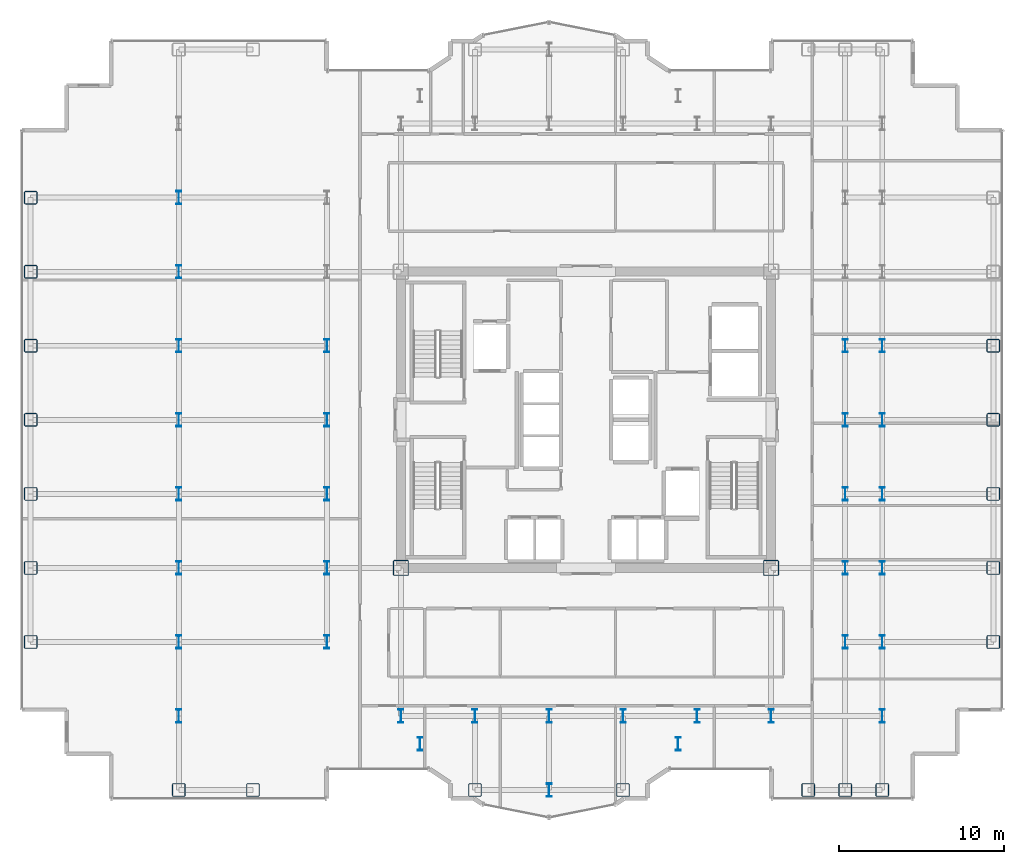
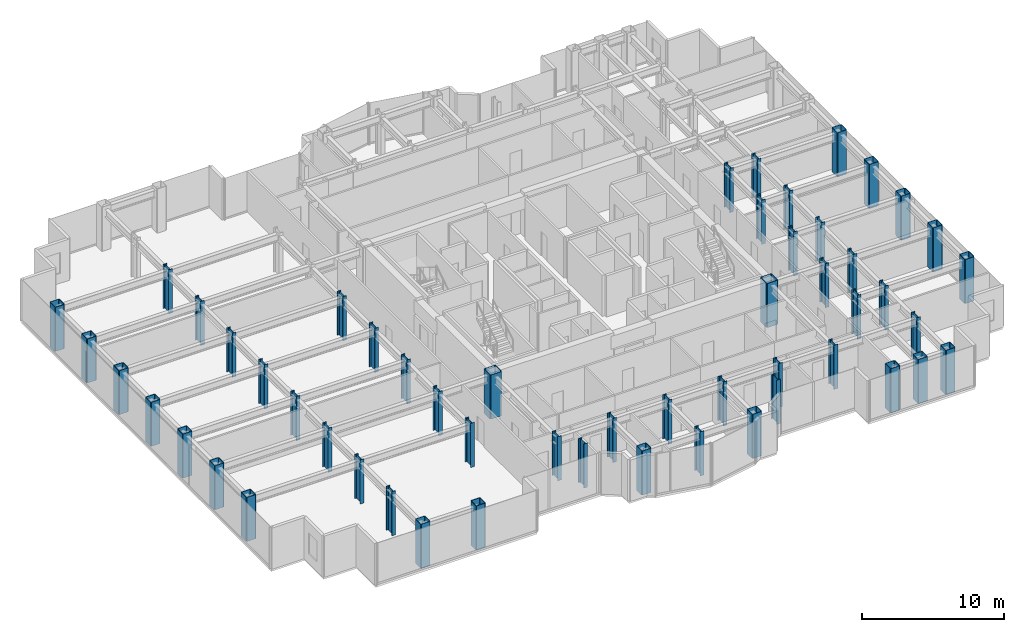
# One storey, part 1 of 23: 54 columns.
"""IFC4 building model written with IfcOpenShell, lengths in metres."""

import ifcopenshell
import ifcopenshell.guid

model = None  # the IFC model being written
_history = None  # IfcOwnerHistory: only IFC2X3 demands one
_inside = {}  # id of a spatial element -> (the spatial element, [elements in it])
_under = {}  # id of a project, library or spatial element -> (it, [spatial elements below it])
_declared = {}  # id of a project -> (the project, [libraries it declares])
_typed = {}  # id of a type object -> (the type object, [elements of that type])
_made_of = {}  # id of a material, layer set ... -> (it, [elements and type objects made of it])


def new_model(schema):
    """Start an empty IFC model of exactly this schema.

    Asked for "IFC4X3", IfcOpenShell would pick the latest addendum, in which some entities
    have other attributes; the version numbers below select the first issue.
    IFC2X3 requires an IfcOwnerHistory on every rooted entity: one is made here for all.
    """
    global model, _history
    if schema == "IFC4X3":
        model = ifcopenshell.file(schema_version=(4, 3, 0, 0))
    else:
        model = ifcopenshell.file(schema=schema)
    _inside.clear()
    _under.clear()
    _declared.clear()
    _typed.clear()
    _made_of.clear()
    _history = None
    if model.schema == "IFC2X3":
        org = make("IfcOrganization", Name="unknown")
        user = make(
            "IfcPersonAndOrganization",
            ThePerson=make("IfcPerson", FamilyName="unknown"),
            TheOrganization=org,
        )
        app = make(
            "IfcApplication",
            ApplicationDeveloper=org,
            Version="unknown",
            ApplicationFullName="unknown",
            ApplicationIdentifier="unknown",
        )
        _history = make(
            "IfcOwnerHistory",
            OwningUser=user,
            OwningApplication=app,
            ChangeAction="ADDED",
            CreationDate=0,
        )
    return model


def make(cls, **values):
    """One entity of the class cls with the attributes given. An attribute that is None is left unset."""
    return model.create_entity(
        cls, **{name: value for name, value in values.items() if value is not None}
    )


def rooted(cls, **values):
    """An entity with a GlobalId (a new one), such as an element, a storey or a relation."""
    return make(cls, GlobalId=ifcopenshell.guid.new(), OwnerHistory=_history, **values)


def si_unit(unit_type, name, prefix=None):
    """IfcSIUnit, for example si_unit("LENGTHUNIT", "METRE", prefix="MILLI")."""
    return make("IfcSIUnit", UnitType=unit_type, Prefix=prefix, Name=name)


def assignment(units):
    """IfcUnitAssignment: the units of a project."""
    return None if units is None else make("IfcUnitAssignment", Units=units)


def point(xyz):
    """IfcCartesianPoint."""
    return None if xyz is None else make("IfcCartesianPoint", Coordinates=xyz)


def direction(xyz):
    """IfcDirection."""
    return None if xyz is None else make("IfcDirection", DirectionRatios=xyz)


def frame(location, z_axis=None, x_axis=None):
    """IfcAxis2Placement3D, a coordinate frame: its origin and axes. An axis left out is left unset."""
    return make(
        "IfcAxis2Placement3D",
        Location=point(location),
        Axis=direction(z_axis),
        RefDirection=direction(x_axis),
    )


def frame_2d(location, x_axis=None):
    """IfcAxis2Placement2D, a coordinate frame in the plane: its origin and x axis."""
    return make(
        "IfcAxis2Placement2D", Location=point(location), RefDirection=direction(x_axis)
    )


def origin():
    """The frame at (0, 0, 0) with its axes left unset."""
    return frame((0.0, 0.0, 0.0))


def origin_2d():
    """The frame at (0, 0) in the plane with its x axis left unset."""
    return frame_2d((0.0, 0.0))


def place(relative_to, where):
    """IfcLocalPlacement: puts the frame where relative to a parent placement (None: the world)."""
    return make(
        "IfcLocalPlacement", PlacementRelTo=relative_to, RelativePlacement=where
    )


def context(
    kind, dimensions, precision=None, world=None, true_north=None, identifier=None
):
    """IfcGeometricRepresentationContext, for example the 3D "Model" context."""
    return make(
        "IfcGeometricRepresentationContext",
        ContextIdentifier=identifier,
        ContextType=kind,
        CoordinateSpaceDimension=dimensions,
        Precision=precision,
        WorldCoordinateSystem=world,
        TrueNorth=true_north,
    )


def subcontext(parent, identifier, kind, view, scale=None):
    """IfcGeometricRepresentationSubContext, for example "Body" below "Model"."""
    return make(
        "IfcGeometricRepresentationSubContext",
        ContextIdentifier=identifier,
        ContextType=kind,
        ParentContext=parent,
        TargetScale=scale,
        TargetView=view,
    )


def project(units=None, contexts=None):
    """IfcProject with its units and contexts."""
    return rooted(
        "IfcProject",
        Name="project",
        RepresentationContexts=contexts,
        UnitsInContext=assignment(units),
    )


def spatial(cls, under=None, at=None, **own):
    """A site, building, storey or space (cls), placed at a placement, below another one or the project."""
    s = rooted(cls, ObjectPlacement=at, **own)
    if under is not None:
        _under.setdefault(under.id(), (under, []))[1].append(s)
    return s


def profile(cls, at=None, kind="AREA", **sizes):
    """A parametric profile (cls). Its sizes go by their IFC names, for example OverallWidth=200.0."""
    return make(cls, ProfileType=kind, Position=at, **sizes)


def hollow_rectangle(**sizes):
    """IfcRectangleHollowProfileDef."""
    return profile("IfcRectangleHollowProfileDef", **sizes)


def i_section(**sizes):
    """IfcIShapeProfileDef."""
    return profile("IfcIShapeProfileDef", **sizes)


def extrude(swept, where, along, depth):
    """IfcExtrudedAreaSolid: the profile swept, set in the frame where, extruded along a direction by depth."""
    return make(
        "IfcExtrudedAreaSolid",
        SweptArea=swept,
        Position=where,
        ExtrudedDirection=direction(along),
        Depth=depth,
    )


def shape(context_of_items, identifier, shape_type, items):
    """IfcShapeRepresentation: the items that make up one representation, for example the "Body"."""
    return make(
        "IfcShapeRepresentation",
        ContextOfItems=context_of_items,
        RepresentationIdentifier=identifier,
        RepresentationType=shape_type,
        Items=items,
    )


def source(mapping_origin, context_of_items, identifier, shape_type, items):
    """IfcRepresentationMap: a shape defined once, which mapped items show again and again."""
    return make(
        "IfcRepresentationMap",
        MappingOrigin=mapping_origin,
        MappedRepresentation=shape(context_of_items, identifier, shape_type, items),
    )


def transform(
    local_origin,
    x_axis=None,
    y_axis=None,
    z_axis=None,
    scale=None,
    scale2=None,
    scale3=None,
    uniform=True,
):
    """IfcCartesianTransformationOperator3D, or its non-uniform kind. x_axis, y_axis, z_axis: its Axis1, 2, 3."""
    if uniform:
        return make(
            "IfcCartesianTransformationOperator3D",
            Axis1=direction(x_axis),
            Axis2=direction(y_axis),
            LocalOrigin=point(local_origin),
            Scale=scale,
            Axis3=direction(z_axis),
        )
    return make(
        "IfcCartesianTransformationOperator3DnonUniform",
        Axis1=direction(x_axis),
        Axis2=direction(y_axis),
        LocalOrigin=point(local_origin),
        Scale=scale,
        Axis3=direction(z_axis),
        Scale2=scale2,
        Scale3=scale3,
    )


def mapped(mapping_source, mapping_target):
    """IfcMappedItem: shows the shape of a source again, moved by a transform."""
    return make(
        "IfcMappedItem", MappingSource=mapping_source, MappingTarget=mapping_target
    )


def material(Name=None, Category=None):
    """IfcMaterial."""
    return make("IfcMaterial", Name=Name, Category=Category)


def material_profile(
    of_material, cross_section, Name=None, Category=None, Priority=None
):
    """IfcMaterialProfile: a cross section and its material."""
    return make(
        "IfcMaterialProfile",
        Name=Name,
        Material=of_material,
        Profile=cross_section,
        Priority=Priority,
        Category=Category,
    )


def profile_set(profiles, Name=None, composite=None):
    """IfcMaterialProfileSet."""
    return make(
        "IfcMaterialProfileSet",
        Name=Name,
        MaterialProfiles=profiles,
        CompositeProfile=composite,
    )


def made_of(thing, what):
    """Note that an element or type object is made of a material, layer set ...; save() writes the relation."""
    if what is not None:
        _made_of.setdefault(what.id(), (what, []))[1].append(thing)
    return thing


def type_object(cls, material=None, **own):
    """A type object (cls), such as IfcWallType, which elements share."""
    return made_of(rooted(cls, **own), material)


def element(
    cls,
    number,
    at=None,
    inside=None,
    cuts=None,
    type_object=None,
    material=None,
    context=None,
    identifier="Body",
    shape_type=None,
    held_by="IfcProductDefinitionShape",
    body=None,
    shapes=None,
    **own,
):
    """One element of the class cls, such as IfcWall. Its Tag is "e" and its number.

    at: its placement. inside: the storey or other place that contains it. cuts: it is an
    opening in that element (IfcRelVoidsElement). A single representation is given by context,
    identifier, shape_type and body (its items); several are given by shapes. held_by: the class
    of the entity that holds the representations. save() writes the other relations.
    """
    e = rooted(cls, Tag="e%d" % number, ObjectPlacement=at, **own)
    if body is not None:
        shapes = [shape(context, identifier, shape_type, body)]
    if shapes is not None:
        e.Representation = make(held_by, Representations=shapes)
    if inside is not None:
        _inside.setdefault(inside.id(), (inside, []))[1].append(e)
    if cuts is not None:
        rooted(
            "IfcRelVoidsElement", RelatingBuildingElement=cuts, RelatedOpeningElement=e
        )
    if type_object is not None:
        _typed.setdefault(type_object.id(), (type_object, []))[1].append(e)
    return made_of(e, material)


def aggregate(whole, parts):
    """IfcRelAggregates: a whole, such as a stair, and the parts it consists of."""
    return rooted("IfcRelAggregates", RelatingObject=whole, RelatedObjects=parts)


def save(model, path):
    """Write the relations noted so far, then the file.

    IfcRelAggregates (storeys below a building ...), IfcRelContainedInSpatialStructure (elements
    in a storey), IfcRelDefinesByType, IfcRelAssociatesMaterial and IfcRelDeclares: one each for
    every whole, place, type object, material and project.
    """
    for whole, parts in _under.values():
        aggregate(whole, parts)
    for where, things in _inside.values():
        rooted(
            "IfcRelContainedInSpatialStructure",
            RelatedElements=things,
            RelatingStructure=where,
        )
    for kind, things in _typed.values():
        rooted("IfcRelDefinesByType", RelatedObjects=things, RelatingType=kind)
    for what, things in _made_of.values():
        rooted("IfcRelAssociatesMaterial", RelatedObjects=things, RelatingMaterial=what)
    for by, libraries in _declared.values():
        rooted("IfcRelDeclares", RelatingContext=by, RelatedDefinitions=libraries)
    model.write(path)


model = new_model("IFC4")

# Units and contexts
model_context = context("Model", 3, precision=1e-05, world=origin(), true_north=direction((0.0, 1.0)))
body_context = subcontext(model_context, "Body", "Model", "MODEL_VIEW")
ifc_project = project(units=[si_unit("LENGTHUNIT", "METRE"), si_unit("AREAUNIT", "SQUARE_METRE"), si_unit("VOLUMEUNIT", "CUBIC_METRE"), si_unit("PLANEANGLEUNIT", "RADIAN"), si_unit("MASSUNIT", "GRAM", prefix="KILO")], contexts=[model_context])

# Site, building, storey
site_placement = place(None, origin())
site = spatial("IfcSite", under=ifc_project, at=site_placement, CompositionType="ELEMENT")
building_placement = place(site_placement, origin())
building = spatial("IfcBuilding", under=site, at=building_placement, Name="Nefas-Gora Pilgrimage Tower", CompositionType="ELEMENT")
storey_placement = place(building_placement, frame((0.0, 0.0, 175.39990234375)))
storey = spatial("IfcBuildingStorey", under=building, at=storey_placement, Name="L43", CompositionType="ELEMENT", Elevation=175.39990234375)

# Columns
ifc_material = material(Name="Steel S460", Category="steel")
ifc_material_profile_1 = material_profile(ifc_material, hollow_rectangle(XDim=0.949951171875, YDim=0.949951171875, WallThickness=0.044921875, InnerFilletRadius=0.044921875, OuterFilletRadius=0.090087890625, at=origin_2d()), Name="BOX 950x950x45")
ifc_profile_set_1 = profile_set([ifc_material_profile_1], Name="Steel S460")
column_type_1 = type_object("IfcColumnType", Name="COL-CORE-950", PredefinedType="COLUMN", material=ifc_profile_set_1)
shared_shape_1 = source(origin(), body_context, "Body", "SweptSolid", [
    extrude(hollow_rectangle(XDim=0.949951171875, YDim=0.949951171875, WallThickness=0.044921875, InnerFilletRadius=0.044921875, OuterFilletRadius=0.090087890625, at=origin_2d()), origin(), (0.0, 0.0, 1.0), 3.800048828125),
])
for number, where, z_axis, x_axis, name in (
    (1, (-11.25, -9.0, 0.0), (0.0, 0.0, 1.0), (1.0, 0.0, 0.0), "L43 Tower Column CC-Z1.29"),
    (2, (11.25, -9.0, 0.0), (0.0, 0.0, 1.0), (1.0, 0.0, 0.0), "L43 Tower Column CC-Z1.51"),
):
    element("IfcColumn", number, at=place(storey_placement, frame(where, z_axis=z_axis, x_axis=x_axis)), inside=storey, type_object=column_type_1, Name=name, PredefinedType="COLUMN", context=body_context, shape_type="MappedRepresentation", body=[
        mapped(shared_shape_1, transform((0.0, 0.0, 0.0), x_axis=(1.0, 0.0, 0.0), y_axis=(0.0, 1.0, 0.0), z_axis=(0.0, 0.0, 1.0), scale=1.0)),
    ])
ifc_material_profile_2 = material_profile(ifc_material, hollow_rectangle(XDim=0.800048828125, YDim=0.800048828125, WallThickness=0.0400390625, InnerFilletRadius=0.0400390625, OuterFilletRadius=0.080078125, at=origin_2d()), Name="BOX 800x800x40")
ifc_profile_set_2 = profile_set([ifc_material_profile_2], Name="Steel S460")
column_type_2 = type_object("IfcColumnType", Name="COL-TUBE-800", PredefinedType="COLUMN", material=ifc_profile_set_2)
shared_shape_2 = source(origin(), body_context, "Body", "SweptSolid", [
    extrude(hollow_rectangle(XDim=0.800048828125, YDim=0.800048828125, WallThickness=0.0400390625, InnerFilletRadius=0.0400390625, OuterFilletRadius=0.080078125, at=origin_2d()), origin(), (0.0, 0.0, 1.0), 3.800048828125),
])
for number, where, z_axis, x_axis, name in (
    (3, (-33.75, -13.5, 0.0), (0.0, 0.0, 1.0), (1.0, 0.0, 0.0), "L43 Tower Column C-Z2.1"),
    (4, (-33.75, -9.0, 0.0), (0.0, 0.0, 1.0), (1.0, 0.0, 0.0), "L43 Tower Column C-Z2.2"),
    (5, (-33.75, -4.5, 0.0), (0.0, 0.0, 1.0), (1.0, 0.0, 0.0), "L43 Tower Column C-Z2.3"),
    (6, (-33.75, 0.0, 0.0), (0.0, 0.0, 1.0), (1.0, 0.0, 0.0), "L43 Tower Column C-Z2.4"),
    (7, (-33.75, 4.5, 0.0), (0.0, 0.0, 1.0), (1.0, 0.0, 0.0), "L43 Tower Column C-Z2.5"),
    (8, (-33.75, 9.0, 0.0), (0.0, 0.0, 1.0), (1.0, 0.0, 0.0), "L43 Tower Column C-Z2.6"),
    (9, (-33.75, 13.5, 0.0), (0.0, 0.0, 1.0), (1.0, 0.0, 0.0), "L43 Tower Column C-Z2.7"),
    (10, (-24.75, -22.5, 0.0), (0.0, 0.0, 1.0), (1.0, 0.0, 0.0), "L43 Tower Column C-Z2.8"),
    (11, (-20.25, -22.5, 0.0), (0.0, 0.0, 1.0), (1.0, 0.0, 0.0), "L43 Tower Column C-Z2.19"),
    (12, (-6.75, -22.5, 0.0), (0.0, 0.0, 1.0), (1.0, 0.0, 0.0), "L43 Tower Column C-Z2.34"),
    (13, (2.25, -22.5, 0.0), (0.0, 0.0, 1.0), (1.0, 0.0, 0.0), "L43 Tower Column C-Z2.42"),
    (14, (13.5, -22.5, 0.0), (0.0, 0.0, 1.0), (1.0, 0.0, 0.0), "L43 Tower Column C-Z2.54"),
    (15, (15.75, -22.5, 0.0), (0.0, 0.0, 1.0), (1.0, 0.0, 0.0), "L43 Tower Column C-Z2.56"),
    (16, (18.0, -22.5, 0.0), (0.0, 0.0, 1.0), (1.0, 0.0, 0.0), "L43 Tower Column C-Z2.65"),
    (17, (24.75, -13.5, 0.0), (0.0, 0.0, 1.0), (1.0, 0.0, 0.0), "L43 Tower Column C-Z2.76"),
    (18, (24.75, -9.0, 0.0), (0.0, 0.0, 1.0), (1.0, 0.0, 0.0), "L43 Tower Column C-Z2.77"),
    (19, (24.75, -4.5, 0.0), (0.0, 0.0, 1.0), (1.0, 0.0, 0.0), "L43 Tower Column C-Z2.78"),
    (20, (24.75, 0.0, 0.0), (0.0, 0.0, 1.0), (1.0, 0.0, 0.0), "L43 Tower Column C-Z2.79"),
    (21, (24.75, 4.5, 0.0), (0.0, 0.0, 1.0), (1.0, 0.0, 0.0), "L43 Tower Column C-Z2.80"),
):
    element("IfcColumn", number, at=place(storey_placement, frame(where, z_axis=z_axis, x_axis=x_axis)), inside=storey, type_object=column_type_2, Name=name, PredefinedType="COLUMN", context=body_context, shape_type="MappedRepresentation", body=[
        mapped(shared_shape_2, transform((0.0, 0.0, 0.0), x_axis=(1.0, 0.0, 0.0), y_axis=(0.0, 1.0, 0.0), z_axis=(0.0, 0.0, 1.0), scale=1.0)),
    ])
ifc_material_profile_3 = material_profile(ifc_material, i_section(OverallWidth=0.302978515625, OverallDepth=0.81396484375, WebThickness=0.02099609375, FlangeThickness=0.0400390625, FilletRadius=0.030029296875, at=origin_2d()), Name="HEM 800")
ifc_profile_set_3 = profile_set([ifc_material_profile_3], Name="Steel S460")
column_type_3 = type_object("IfcColumnType", Name="COL-WEB-HEM800", PredefinedType="COLUMN", material=ifc_profile_set_3)
shared_shape_3 = source(origin(), body_context, "Body", "SweptSolid", [
    extrude(i_section(OverallWidth=0.302978515625, OverallDepth=0.81396484375, WebThickness=0.02099609375, FlangeThickness=0.0400390625, FilletRadius=0.030029296875, at=origin_2d()), origin(), (0.0, 0.0, 1.0), 3.800048828125),
])
for number, where, z_axis, x_axis, name in (
    (22, (-24.75, -18.0, 0.0), (0.0, 0.0, 1.0), (1.0, 0.0, 0.0), "L43 Tower Column CW-02.9"),
    (23, (-24.75, -13.5, 0.0), (0.0, 0.0, 1.0), (1.0, 0.0, 0.0), "L43 Tower Column CW-02.10"),
    (24, (-24.75, -9.0, 0.0), (0.0, 0.0, 1.0), (1.0, 0.0, 0.0), "L43 Tower Column CW-02.11"),
    (25, (-24.75, -4.5, 0.0), (0.0, 0.0, 1.0), (1.0, 0.0, 0.0), "L43 Tower Column CW-02.12"),
    (26, (-24.75, 0.0, 0.0), (0.0, 0.0, 1.0), (1.0, 0.0, 0.0), "L43 Tower Column CW-02.13"),
    (27, (-24.75, 4.5, 0.0), (0.0, 0.0, 1.0), (1.0, 0.0, 0.0), "L43 Tower Column CW-02.14"),
    (28, (-24.75, 9.0, 0.0), (0.0, 0.0, 1.0), (1.0, 0.0, 0.0), "L43 Tower Column CW-02.15"),
    (29, (-24.75, 13.5, 0.0), (0.0, 0.0, 1.0), (1.0, 0.0, 0.0), "L43 Tower Column CW-02.16"),
    (30, (-15.75, -13.5, 0.0), (0.0, 0.0, 1.0), (1.0, 0.0, 0.0), "L43 Tower Column CW-02.21"),
    (31, (-15.75, -9.0, 0.0), (0.0, 0.0, 1.0), (1.0, 0.0, 0.0), "L43 Tower Column CW-02.22"),
    (32, (-15.75, -4.5, 0.0), (0.0, 0.0, 1.0), (1.0, 0.0, 0.0), "L43 Tower Column CW-02.23"),
    (33, (-15.75, 0.0, 0.0), (0.0, 0.0, 1.0), (1.0, 0.0, 0.0), "L43 Tower Column CW-02.24"),
    (34, (-15.75, 4.5, 0.0), (0.0, 0.0, 1.0), (1.0, 0.0, 0.0), "L43 Tower Column CW-02.25"),
    (35, (-11.25, -18.0, 0.0), (0.0, 0.0, 1.0), (1.0, 0.0, 0.0), "L43 Tower Column CW-02.28"),
    (36, (-10.091064453125, -19.696044921875, 0.0), (0.0, 0.0, 1.0), (1.0, 0.0, 0.0), "L43 Tower Column CW-02.32"),
    (37, (-6.75, -18.0, 0.0), (0.0, 0.0, 1.0), (1.0, 0.0, 0.0), "L43 Tower Column CW-02.35"),
    (38, (-2.25, -22.5, 0.0), (0.0, 0.0, 1.0), (1.0, 0.0, 0.0), "L43 Tower Column CW-02.38"),
    (39, (-2.25, -18.0, 0.0), (0.0, 0.0, 1.0), (1.0, 0.0, 0.0), "L43 Tower Column CW-02.39"),
    (40, (2.25, -18.0, 0.0), (0.0, 0.0, 1.0), (1.0, 0.0, 0.0), "L43 Tower Column CW-02.43"),
    (41, (5.591064453125, -19.696044921875, 0.0), (0.0, 0.0, 1.0), (1.0, 0.0, 0.0), "L43 Tower Column CW-02.46"),
    (42, (6.75, -18.0, 0.0), (0.0, 0.0, 1.0), (1.0, 0.0, 0.0), "L43 Tower Column CW-02.48"),
    (43, (11.25, -18.0, 0.0), (0.0, 0.0, 1.0), (1.0, 0.0, 0.0), "L43 Tower Column CW-02.50"),
    (44, (15.75, -13.5, 0.0), (0.0, 0.0, 1.0), (1.0, 0.0, 0.0), "L43 Tower Column CW-02.57"),
    (45, (15.75, -9.0, 0.0), (0.0, 0.0, 1.0), (1.0, 0.0, 0.0), "L43 Tower Column CW-02.58"),
    (46, (15.75, -4.5, 0.0), (0.0, 0.0, 1.0), (1.0, 0.0, 0.0), "L43 Tower Column CW-02.59"),
    (47, (15.75, 0.0, 0.0), (0.0, 0.0, 1.0), (1.0, 0.0, 0.0), "L43 Tower Column CW-02.60"),
    (48, (15.75, 4.5, 0.0), (0.0, 0.0, 1.0), (1.0, 0.0, 0.0), "L43 Tower Column CW-02.61"),
    (49, (18.0, -18.0, 0.0), (0.0, 0.0, 1.0), (1.0, 0.0, 0.0), "L43 Tower Column CW-02.66"),
    (50, (18.0, -13.5, 0.0), (0.0, 0.0, 1.0), (1.0, 0.0, 0.0), "L43 Tower Column CW-02.67"),
    (51, (18.0, -9.0, 0.0), (0.0, 0.0, 1.0), (1.0, 0.0, 0.0), "L43 Tower Column CW-02.68"),
    (52, (18.0, -4.5, 0.0), (0.0, 0.0, 1.0), (1.0, 0.0, 0.0), "L43 Tower Column CW-02.69"),
    (53, (18.0, 0.0, 0.0), (0.0, 0.0, 1.0), (1.0, 0.0, 0.0), "L43 Tower Column CW-02.70"),
    (54, (18.0, 4.5, 0.0), (0.0, 0.0, 1.0), (1.0, 0.0, 0.0), "L43 Tower Column CW-02.71"),
):
    element("IfcColumn", number, at=place(storey_placement, frame(where, z_axis=z_axis, x_axis=x_axis)), inside=storey, type_object=column_type_3, Name=name, PredefinedType="COLUMN", context=body_context, shape_type="MappedRepresentation", body=[
        mapped(shared_shape_3, transform((0.0, 0.0, 0.0), x_axis=(1.0, 0.0, 0.0), y_axis=(0.0, 1.0, 0.0), z_axis=(0.0, 0.0, 1.0), scale=1.0)),
    ])

save(model, "model.ifc")
